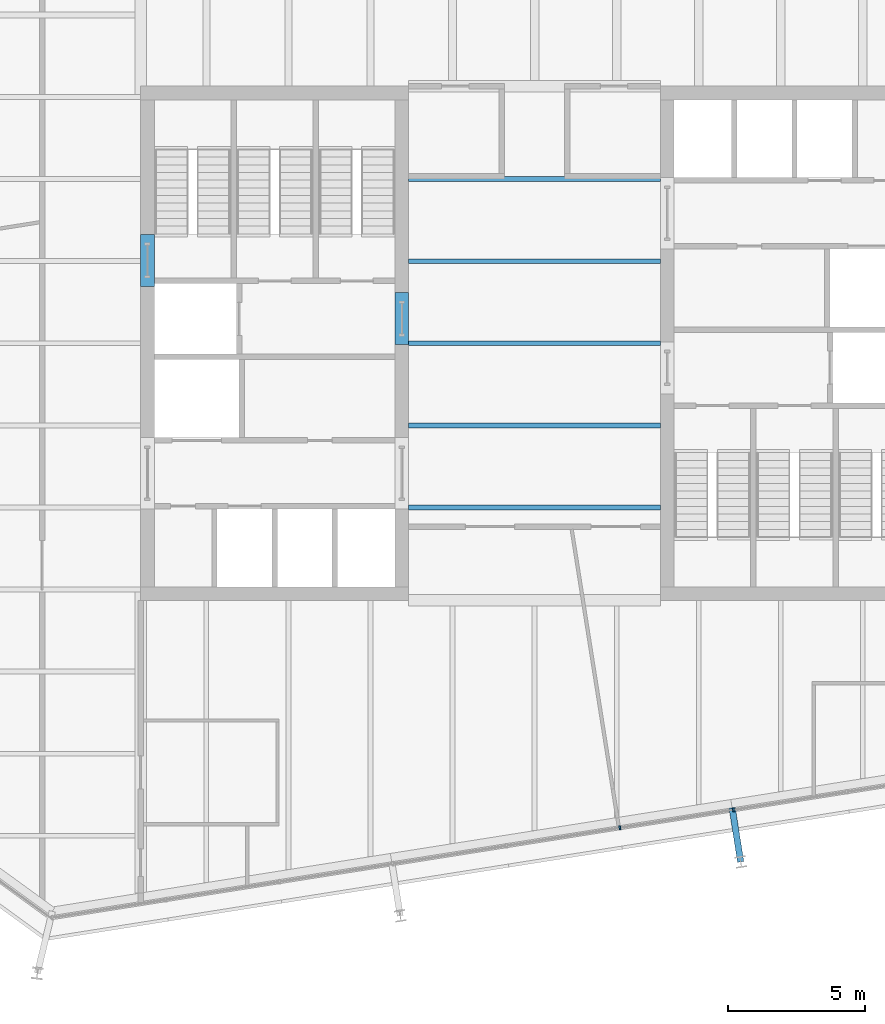
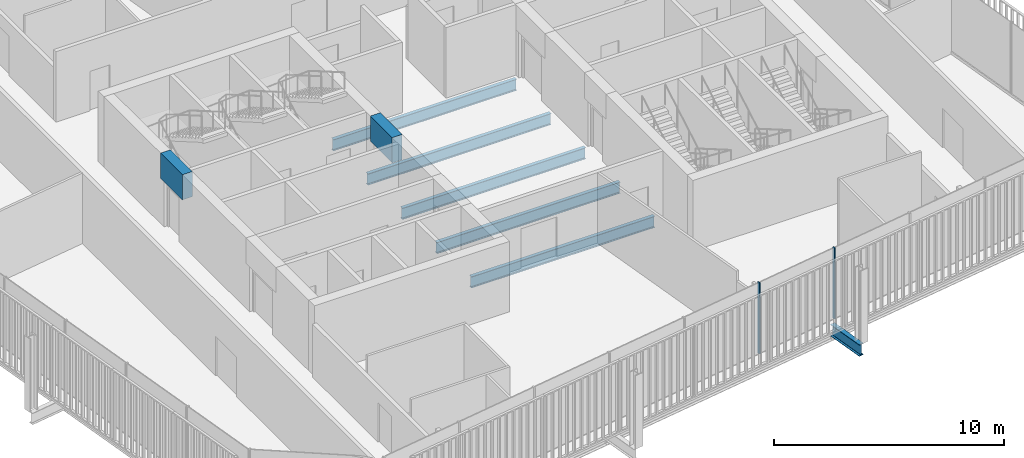
# One storey, part 7 of 20: 8 beams, 2 members, 1 element without a shape of its own.
"""IFC4 building model written with IfcOpenShell, lengths in metres."""

from ifc_helpers import new_model, si_unit, direction, frame, origin, origin_2d, place, context, subcontext, project, spatial, rectangle, i_section, extrude, material, layer, layer_set, material_profile, profile_set, type_object, element, aggregate, save


model = new_model("IFC4")

# Units and contexts
model_context = context("Model", 3, precision=1e-05, world=origin(), true_north=direction((0.0, 1.0)))
body_context = subcontext(model_context, "Body", "Model", "MODEL_VIEW")
ifc_project = project(units=[si_unit("LENGTHUNIT", "METRE"), si_unit("AREAUNIT", "SQUARE_METRE"), si_unit("VOLUMEUNIT", "CUBIC_METRE"), si_unit("PLANEANGLEUNIT", "RADIAN"), si_unit("MASSUNIT", "GRAM", prefix="KILO")], contexts=[model_context])

# Site, building, storey
site_placement = place(None, origin())
site = spatial("IfcSite", under=ifc_project, at=site_placement, CompositionType="ELEMENT")
building_placement = place(site_placement, origin())
building = spatial("IfcBuilding", under=site, at=building_placement, Name="Millrace Tower", CompositionType="ELEMENT")
storey_placement = place(building_placement, frame((0.0, 0.0, 224.199951171875)))
storey = spatial("IfcBuildingStorey", under=building, at=storey_placement, Name="L51", CompositionType="ELEMENT", Elevation=224.199951171875)

# Curtain wall, members
ifc_material_1 = material(Name="Aluminium and glass", Category="aluminium")
ifc_layer = layer(ifc_material_1, 0.14990234375)
ifc_layer_set = layer_set([ifc_layer], Name="Aluminium and glass")
curtain_wall_type = type_object("IfcCurtainWallType", Name="CW-1 office vision curtain wall", PredefinedType="NOTDEFINED", material=ifc_layer_set)
curtain_wall_placement = place(storey_placement, origin())
curtain_wall = element("IfcCurtainWall", 1, at=curtain_wall_placement, inside=storey, type_object=curtain_wall_type, Name="Curtain wall D-F02 L51", PredefinedType="NOTDEFINED")
ifc_material_2 = material(Name="Aluminium", Category="aluminium")
ifc_material_profile_1 = material_profile(ifc_material_2, rectangle(XDim=0.06494140625, YDim=0.14990234375, at=origin_2d()))
ifc_profile_set_1 = profile_set([ifc_material_profile_1], Name="Aluminium")
member_type = type_object("IfcMemberType", Name="CW-1 office vision curtain wall mullion", PredefinedType="MULLION", material=ifc_profile_set_1)
member_1_placement = place(storey_placement, frame((3.115966796875, -17.707275390625, 0.14013671875), z_axis=(0.0, 0.0, 1.0), x_axis=(0.987688339511, 0.156434471884, 0.0)))
member_1 = element("IfcMember", 2, at=member_1_placement, type_object=member_type, Name="CW1 mullion D-F02.6", PredefinedType="MULLION", context=body_context, shape_type="SweptSolid", body=[
    extrude(rectangle(XDim=0.06494140625, YDim=0.14990234375, at=origin_2d()), origin(), (0.0, 0.0, 1.0), 3.760009765625),
])
member_2_placement = place(storey_placement, frame((7.26416015625, -17.05029296875, 0.14013671875), z_axis=(0.0, 0.0, 1.0), x_axis=(0.987688339511, 0.156434471884, 0.0)))
member_2 = element("IfcMember", 3, at=member_2_placement, type_object=member_type, Name="CW1 mullion D-F02.7", PredefinedType="MULLION", context=body_context, shape_type="SweptSolid", body=[
    extrude(rectangle(XDim=0.06494140625, YDim=0.14990234375, at=origin_2d()), origin(), (0.0, 0.0, 1.0), 3.760009765625),
])
aggregate(curtain_wall, [member_1, member_2])

# Beams
ifc_material_3 = material(Name="Concrete C60", Category="concrete")
ifc_material_profile_2 = material_profile(ifc_material_3, rectangle(XDim=0.5, YDim=1.340087890625, at=origin_2d()))
ifc_profile_set_2 = profile_set([ifc_material_profile_2], Name="Concrete C60")
beam_type_1 = type_object("IfcBeamType", Name="Coupling beam 500 x 1340 Concrete C60, 1300 opening", PredefinedType="BEAM", material=ifc_profile_set_2)
beam_1_placement = place(storey_placement, frame((-14.14990234375, 2.080078125, 3.070068359375), z_axis=(0.0, 1.0, 0.0), x_axis=(-1.0, 0.0, 0.0)))
element("IfcBeam", 4, at=beam_1_placement, inside=storey, type_object=beam_type_1, Name="Coupling beam W L51", PredefinedType="BEAM", context=body_context, shape_type="SweptSolid", body=[
    extrude(rectangle(XDim=0.5, YDim=1.340087890625, at=origin_2d()), origin(), (0.0, 0.0, 1.0), 1.89990234375),
])
beam_2_placement = place(storey_placement, frame((-4.85009765625, -0.050048828125, 3.070068359375), z_axis=(0.0, 1.0, 0.0), x_axis=(-1.0, 0.0, 0.0)))
element("IfcBeam", 5, at=beam_2_placement, inside=storey, type_object=beam_type_1, Name="Coupling beam W L51", PredefinedType="BEAM", context=body_context, shape_type="SweptSolid", body=[
    extrude(rectangle(XDim=0.5, YDim=1.340087890625, at=origin_2d()), origin(), (0.0, 0.0, 1.0), 1.900146484375),
])
ifc_material_4 = material(Name="Steel ASTM A992 Grade 50", Category="steel")
ifc_material_profile_3 = material_profile(ifc_material_4, i_section(OverallWidth=0.177978515625, OverallDepth=0.599365234375, WebThickness=0.010009765625, FlangeThickness=0.012939453125, FilletRadius=0.012939453125, at=origin_2d()))
ifc_profile_set_3 = profile_set([ifc_material_profile_3], Name="Steel ASTM A992 Grade 50")
beam_type_2 = type_object("IfcBeamType", Name="Floor beam W24x55", PredefinedType="JOIST", material=ifc_profile_set_3)
for number, where, z_axis, x_axis, name in (
    (6, (-4.60009765625, -6.0, -0.459716796875), (1.0, 0.0, 0.0), (0.0, 1.0, 0.0), "BM-D-L51-S1-S008"),
    (7, (-4.60009765625, -3.0, -0.459716796875), (1.0, 0.0, 0.0), (0.0, 1.0, 0.0), "BM-D-L51-S1-S011"),
    (8, (-4.60009765625, 0.0, -0.459716796875), (1.0, 0.0, 0.0), (0.0, 1.0, 0.0), "BM-D-L51-S1-S014"),
    (9, (-4.60009765625, 3.0, -0.459716796875), (1.0, 0.0, 0.0), (0.0, 1.0, 0.0), "BM-D-L51-S1-S017"),
    (10, (-4.60009765625, 6.0, -0.459716796875), (1.0, 0.0, 0.0), (0.0, 1.0, 0.0), "BM-D-L51-S1-S020"),
):
    element("IfcBeam", number, at=place(storey_placement, frame(where, z_axis=z_axis, x_axis=x_axis)), inside=storey, type_object=beam_type_2, Name=name, PredefinedType="JOIST", context=body_context, shape_type="SweptSolid", body=[
        extrude(i_section(OverallWidth=0.177978515625, OverallDepth=0.599365234375, WebThickness=0.010009765625, FlangeThickness=0.012939453125, FilletRadius=0.012939453125, at=origin_2d()), origin(), (0.0, 0.0, 1.0), 9.2001953125),
    ])
ifc_material_5 = material(Name="Steel ASTM A992 Grade 50", Category="steel")
ifc_material_profile_4 = material_profile(ifc_material_5, i_section(OverallWidth=0.23046875, OverallDepth=0.6171875, WebThickness=0.01318359375, FlangeThickness=0.022216796875, FilletRadius=0.012939453125, at=origin_2d()))
ifc_profile_set_4 = profile_set([ifc_material_profile_4], Name="Steel ASTM A992 Grade 50")
beam_type_3 = type_object("IfcBeamType", Name="Link beam W24x94", PredefinedType="BEAM", material=ifc_profile_set_4)
beam_3_placement = place(storey_placement, frame((7.220458984375, -16.981201171875, -0.468505859375), z_axis=(0.156357438014, -0.987700537399, 0.0), x_axis=(0.987700537399, 0.156357438014, 0.0)))
element("IfcBeam", 11, at=beam_3_placement, inside=storey, type_object=beam_type_3, Name="LNK-D-L51-S1-14", PredefinedType="BEAM", context=body_context, shape_type="SweptSolid", body=[
    extrude(i_section(OverallWidth=0.23046875, OverallDepth=0.6171875, WebThickness=0.01318359375, FlangeThickness=0.022216796875, FilletRadius=0.012939453125, at=origin_2d()), origin(), (0.0, 0.0, 1.0), 2.000244140625),
])

save(model, "model.ifc")
